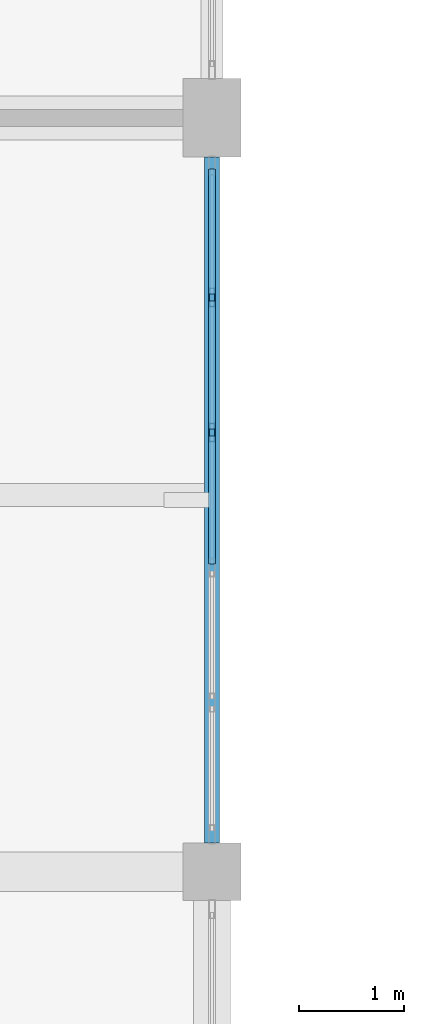
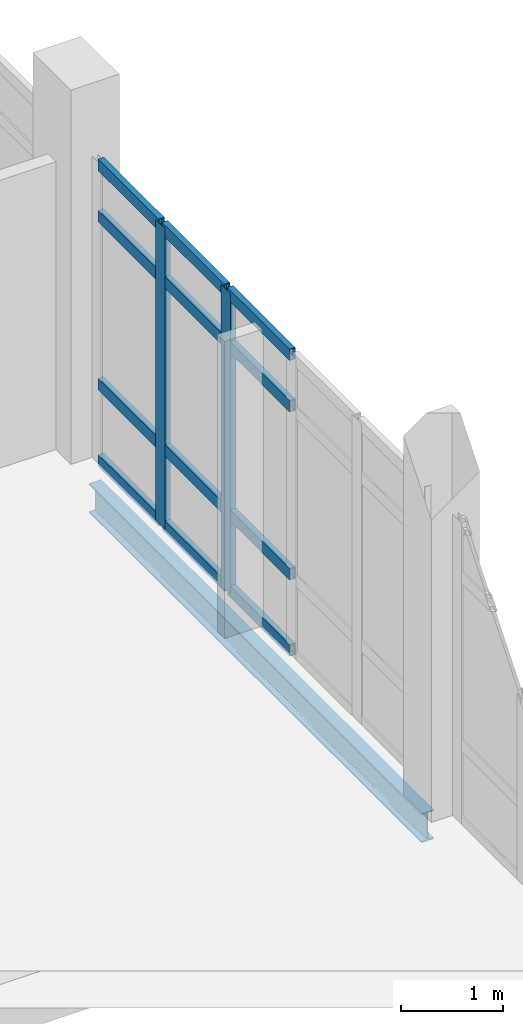
# One storey, part 17 of 57: 14 members, 1 beam, 1 element without a shape of its own.
"""IFC4 building model written with IfcOpenShell, lengths in metres."""

from ifc_helpers import new_model, si_unit, direction, frame, origin, origin_2d, place, context, subcontext, project, spatial, hollow_rectangle, i_section, extrude, material, material_profile, profile_set, type_object, element, aggregate, save


model = new_model("IFC4")

# Units and contexts
model_context = context("Model", 3, precision=1e-05, world=origin(), true_north=direction((0.0, 1.0)))
body_context = subcontext(model_context, "Body", "Model", "MODEL_VIEW")
ifc_project = project(units=[si_unit("LENGTHUNIT", "METRE"), si_unit("AREAUNIT", "SQUARE_METRE"), si_unit("VOLUMEUNIT", "CUBIC_METRE"), si_unit("PLANEANGLEUNIT", "RADIAN"), si_unit("MASSUNIT", "GRAM", prefix="KILO")], contexts=[model_context])

# Site, building, storey
site_placement = place(None, origin())
site = spatial("IfcSite", under=ifc_project, at=site_placement, CompositionType="ELEMENT")
building_placement = place(site_placement, origin())
building = spatial("IfcBuilding", under=site, at=building_placement, Name="Kalluvel Institute of Natural Sciences", CompositionType="ELEMENT")
storey_placement = place(building_placement, frame((0.0, 0.0, 23.39990234375)))
storey = spatial("IfcBuildingStorey", under=building, at=storey_placement, Name="L05", CompositionType="ELEMENT", Elevation=23.39990234375)

# Beam
ifc_material_1 = material(Name="Steel E350 Grade 350", Category="steel")
ifc_material_profile_1 = material_profile(ifc_material_1, i_section(OverallWidth=0.139892578125, OverallDepth=0.35009765625, WebThickness=0.008056640625, FlangeThickness=0.01416015625, FilletRadius=0.013916015625, at=origin_2d()), Name="ISMB 350")
ifc_profile_set_1 = profile_set([ifc_material_profile_1], Name="Steel E350 Grade 350")
beam_type = type_object("IfcBeamType", Name="BM-ISMB350", PredefinedType="BEAM", material=ifc_profile_set_1)
beam_placement = place(storey_placement, frame((35.60009765625, 71.875, -0.474853515625), z_axis=(0.0, 1.0, 0.0), x_axis=(-1.0, 0.0, 0.0)))
element("IfcBeam", 1, at=beam_placement, inside=storey, type_object=beam_type, Name="L05 girder GIR-L05-NS-X356-Y716", PredefinedType="BEAM", context=body_context, shape_type="SweptSolid", body=[
    extrude(i_section(OverallWidth=0.139892578125, OverallDepth=0.35009765625, WebThickness=0.008056640625, FlangeThickness=0.01416015625, FilletRadius=0.013916015625, at=origin_2d()), origin(), (0.0, 0.0, 1.0), 6.550048828125),
])

# Curtain wall, members
ifc_material_2 = material(Name="Aluminium AW-6063 T6", Category="aluminium")
curtain_wall_type = type_object("IfcCurtainWallType", Name="CW-DRY-45", PredefinedType="USERDEFINED", material=ifc_material_2)
curtain_wall_placement = place(storey_placement, origin())
curtain_wall = element("IfcCurtainWall", 2, at=curtain_wall_placement, inside=storey, type_object=curtain_wall_type, Name="L05 Gothic lancet curtain wall CWA-L05-X356-Y719", ObjectType="UNITISED LANCET FACADE", PredefinedType="USERDEFINED")
ifc_material_profile_2 = material_profile(ifc_material_2, hollow_rectangle(XDim=0.06494140625, YDim=0.179931640625, WallThickness=0.00439453125, at=origin_2d()), Name="CWM 65x180")
ifc_profile_set_2 = profile_set([ifc_material_profile_2], Name="Aluminium AW-6063 T6")
member_type_1 = type_object("IfcMemberType", Name="CWM-65x180", PredefinedType="MULLION", material=ifc_profile_set_2)
member_1_placement = place(storey_placement, frame((35.60009765625, 75.794921875, 0.0), z_axis=(0.0, 0.0, 1.0), x_axis=(-1.0, 0.0, 0.0)))
member_1 = element("IfcMember", 3, at=member_1_placement, type_object=member_type_1, Name="CW-03 mullion 4", PredefinedType="MULLION", context=body_context, shape_type="SweptSolid", body=[
    extrude(hollow_rectangle(XDim=0.06494140625, YDim=0.179931640625, WallThickness=0.00439453125, at=origin_2d()), origin(), (0.0, 0.0, 1.0), 3.6201171875),
])
member_2_placement = place(storey_placement, frame((35.60009765625, 77.0849609375, 0.0), z_axis=(0.0, 0.0, 1.0), x_axis=(-1.0, 0.0, 0.0)))
member_2 = element("IfcMember", 4, at=member_2_placement, type_object=member_type_1, Name="CW-03 mullion 5", PredefinedType="MULLION", context=body_context, shape_type="SweptSolid", body=[
    extrude(hollow_rectangle(XDim=0.06494140625, YDim=0.179931640625, WallThickness=0.00439453125, at=origin_2d()), origin(), (0.0, 0.0, 1.0), 3.6201171875),
])
ifc_material_profile_3 = material_profile(ifc_material_2, hollow_rectangle(XDim=0.06494140625, YDim=0.139892578125, WallThickness=0.00439453125, at=origin_2d()), Name="CWT 65x140")
ifc_profile_set_3 = profile_set([ifc_material_profile_3], Name="Aluminium AW-6063 T6")
member_type_2 = type_object("IfcMemberType", Name="CWT-65x140", PredefinedType="USERDEFINED", material=ifc_profile_set_3)
member_3_placement = place(storey_placement, frame((35.60009765625, 74.53759765625, 0.03271484375), z_axis=(0.0, 1.0, 0.0), x_axis=(-1.0, 0.0, 0.0)))
member_3 = element("IfcMember", 5, at=member_3_placement, type_object=member_type_2, Name="CW-03 transom 3.1", ObjectType="TRANSOM", PredefinedType="USERDEFINED", context=body_context, shape_type="SweptSolid", body=[
    extrude(hollow_rectangle(XDim=0.06494140625, YDim=0.139892578125, WallThickness=0.00439453125, at=origin_2d()), origin(), (0.0, 0.0, 1.0), 1.224853515625),
])
member_4_placement = place(storey_placement, frame((35.60009765625, 74.53759765625, 0.9501953125), z_axis=(0.0, 1.0, 0.0), x_axis=(-1.0, 0.0, 0.0)))
member_4 = element("IfcMember", 6, at=member_4_placement, type_object=member_type_2, Name="CW-03 transom 3.2", ObjectType="TRANSOM", PredefinedType="USERDEFINED", context=body_context, shape_type="SweptSolid", body=[
    extrude(hollow_rectangle(XDim=0.06494140625, YDim=0.139892578125, WallThickness=0.00439453125, at=origin_2d()), origin(), (0.0, 0.0, 1.0), 1.224853515625),
])
member_5_placement = place(storey_placement, frame((35.60009765625, 74.53759765625, 2.97021484375), z_axis=(0.0, 1.0, 0.0), x_axis=(-1.0, 0.0, 0.0)))
member_5 = element("IfcMember", 7, at=member_5_placement, type_object=member_type_2, Name="CW-03 transom 3.3", ObjectType="TRANSOM", PredefinedType="USERDEFINED", context=body_context, shape_type="SweptSolid", body=[
    extrude(hollow_rectangle(XDim=0.06494140625, YDim=0.139892578125, WallThickness=0.00439453125, at=origin_2d()), origin(), (0.0, 0.0, 1.0), 1.224853515625),
])
member_6_placement = place(storey_placement, frame((35.60009765625, 74.53759765625, 3.587646484375), z_axis=(0.0, 1.0, 0.0), x_axis=(-1.0, 0.0, 0.0)))
member_6 = element("IfcMember", 8, at=member_6_placement, type_object=member_type_2, Name="CW-03 transom 3.4", ObjectType="TRANSOM", PredefinedType="USERDEFINED", context=body_context, shape_type="SweptSolid", body=[
    extrude(hollow_rectangle(XDim=0.06494140625, YDim=0.139892578125, WallThickness=0.00439453125, at=origin_2d()), origin(), (0.0, 0.0, 1.0), 1.224853515625),
])
member_7_placement = place(storey_placement, frame((35.60009765625, 75.827392578125, 0.03271484375), z_axis=(0.0, 1.0, 0.0), x_axis=(-1.0, 0.0, 0.0)))
member_7 = element("IfcMember", 9, at=member_7_placement, type_object=member_type_2, Name="CW-03 transom 4.1", ObjectType="TRANSOM", PredefinedType="USERDEFINED", context=body_context, shape_type="SweptSolid", body=[
    extrude(hollow_rectangle(XDim=0.06494140625, YDim=0.139892578125, WallThickness=0.00439453125, at=origin_2d()), origin(), (0.0, 0.0, 1.0), 1.22509765625),
])
member_8_placement = place(storey_placement, frame((35.60009765625, 75.827392578125, 0.9501953125), z_axis=(0.0, 1.0, 0.0), x_axis=(-1.0, 0.0, 0.0)))
member_8 = element("IfcMember", 10, at=member_8_placement, type_object=member_type_2, Name="CW-03 transom 4.2", ObjectType="TRANSOM", PredefinedType="USERDEFINED", context=body_context, shape_type="SweptSolid", body=[
    extrude(hollow_rectangle(XDim=0.06494140625, YDim=0.139892578125, WallThickness=0.00439453125, at=origin_2d()), origin(), (0.0, 0.0, 1.0), 1.22509765625),
])
member_9_placement = place(storey_placement, frame((35.60009765625, 75.827392578125, 2.97021484375), z_axis=(0.0, 1.0, 0.0), x_axis=(-1.0, 0.0, 0.0)))
member_9 = element("IfcMember", 11, at=member_9_placement, type_object=member_type_2, Name="CW-03 transom 4.3", ObjectType="TRANSOM", PredefinedType="USERDEFINED", context=body_context, shape_type="SweptSolid", body=[
    extrude(hollow_rectangle(XDim=0.06494140625, YDim=0.139892578125, WallThickness=0.00439453125, at=origin_2d()), origin(), (0.0, 0.0, 1.0), 1.22509765625),
])
member_10_placement = place(storey_placement, frame((35.60009765625, 75.827392578125, 3.587646484375), z_axis=(0.0, 1.0, 0.0), x_axis=(-1.0, 0.0, 0.0)))
member_10 = element("IfcMember", 12, at=member_10_placement, type_object=member_type_2, Name="CW-03 transom 4.4", ObjectType="TRANSOM", PredefinedType="USERDEFINED", context=body_context, shape_type="SweptSolid", body=[
    extrude(hollow_rectangle(XDim=0.06494140625, YDim=0.139892578125, WallThickness=0.00439453125, at=origin_2d()), origin(), (0.0, 0.0, 1.0), 1.22509765625),
])
member_11_placement = place(storey_placement, frame((35.60009765625, 77.117431640625, 0.03271484375), z_axis=(0.0, 1.0, 0.0), x_axis=(-1.0, 0.0, 0.0)))
member_11 = element("IfcMember", 13, at=member_11_placement, type_object=member_type_2, Name="CW-03 transom 5.1", ObjectType="TRANSOM", PredefinedType="USERDEFINED", context=body_context, shape_type="SweptSolid", body=[
    extrude(hollow_rectangle(XDim=0.06494140625, YDim=0.139892578125, WallThickness=0.00439453125, at=origin_2d()), origin(), (0.0, 0.0, 1.0), 1.192626953125),
])
member_12_placement = place(storey_placement, frame((35.60009765625, 77.117431640625, 0.9501953125), z_axis=(0.0, 1.0, 0.0), x_axis=(-1.0, 0.0, 0.0)))
member_12 = element("IfcMember", 14, at=member_12_placement, type_object=member_type_2, Name="CW-03 transom 5.2", ObjectType="TRANSOM", PredefinedType="USERDEFINED", context=body_context, shape_type="SweptSolid", body=[
    extrude(hollow_rectangle(XDim=0.06494140625, YDim=0.139892578125, WallThickness=0.00439453125, at=origin_2d()), origin(), (0.0, 0.0, 1.0), 1.192626953125),
])
member_13_placement = place(storey_placement, frame((35.60009765625, 77.117431640625, 2.97021484375), z_axis=(0.0, 1.0, 0.0), x_axis=(-1.0, 0.0, 0.0)))
member_13 = element("IfcMember", 15, at=member_13_placement, type_object=member_type_2, Name="CW-03 transom 5.3", ObjectType="TRANSOM", PredefinedType="USERDEFINED", context=body_context, shape_type="SweptSolid", body=[
    extrude(hollow_rectangle(XDim=0.06494140625, YDim=0.139892578125, WallThickness=0.00439453125, at=origin_2d()), origin(), (0.0, 0.0, 1.0), 1.192626953125),
])
member_14_placement = place(storey_placement, frame((35.60009765625, 77.117431640625, 3.587646484375), z_axis=(0.0, 1.0, 0.0), x_axis=(-1.0, 0.0, 0.0)))
member_14 = element("IfcMember", 16, at=member_14_placement, type_object=member_type_2, Name="CW-03 transom 5.4", ObjectType="TRANSOM", PredefinedType="USERDEFINED", context=body_context, shape_type="SweptSolid", body=[
    extrude(hollow_rectangle(XDim=0.06494140625, YDim=0.139892578125, WallThickness=0.00439453125, at=origin_2d()), origin(), (0.0, 0.0, 1.0), 1.192626953125),
])
aggregate(curtain_wall, [member_1, member_2, member_3, member_4, member_5, member_6, member_7, member_8, member_9, member_10, member_11, member_12, member_13, member_14])

save(model, "model.ifc")
